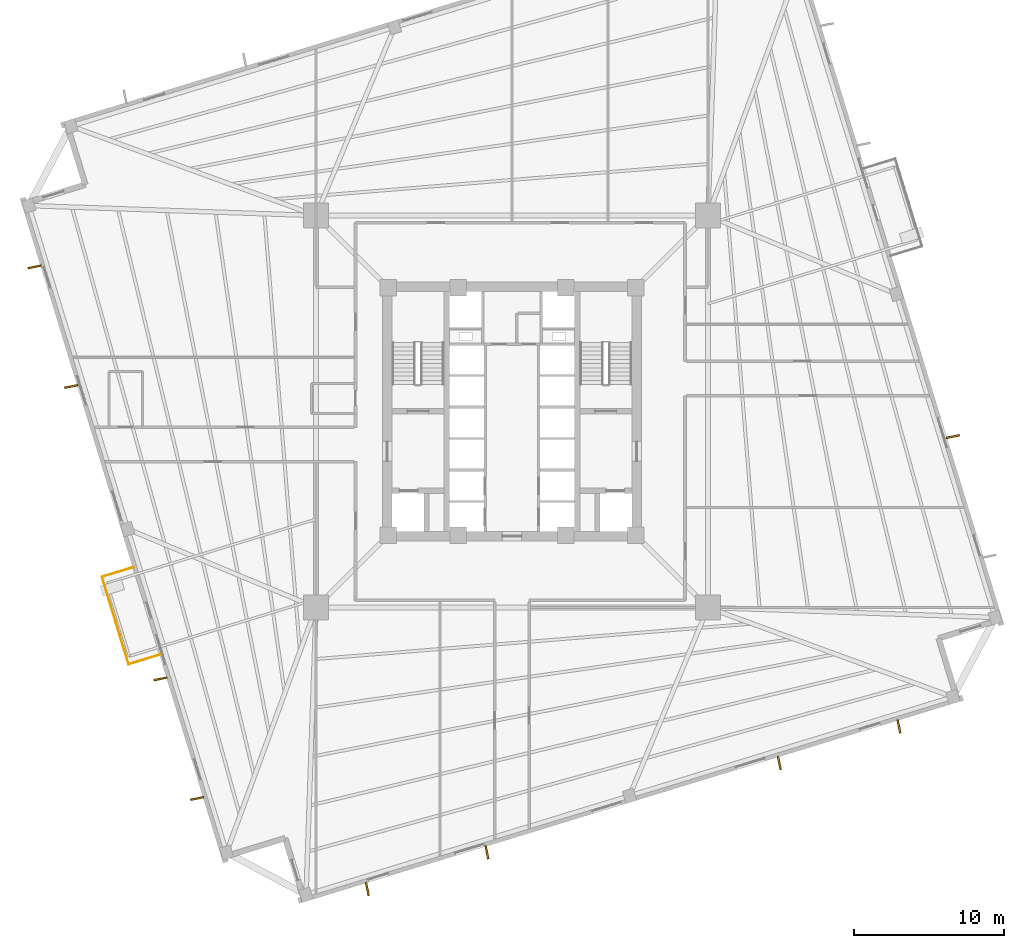
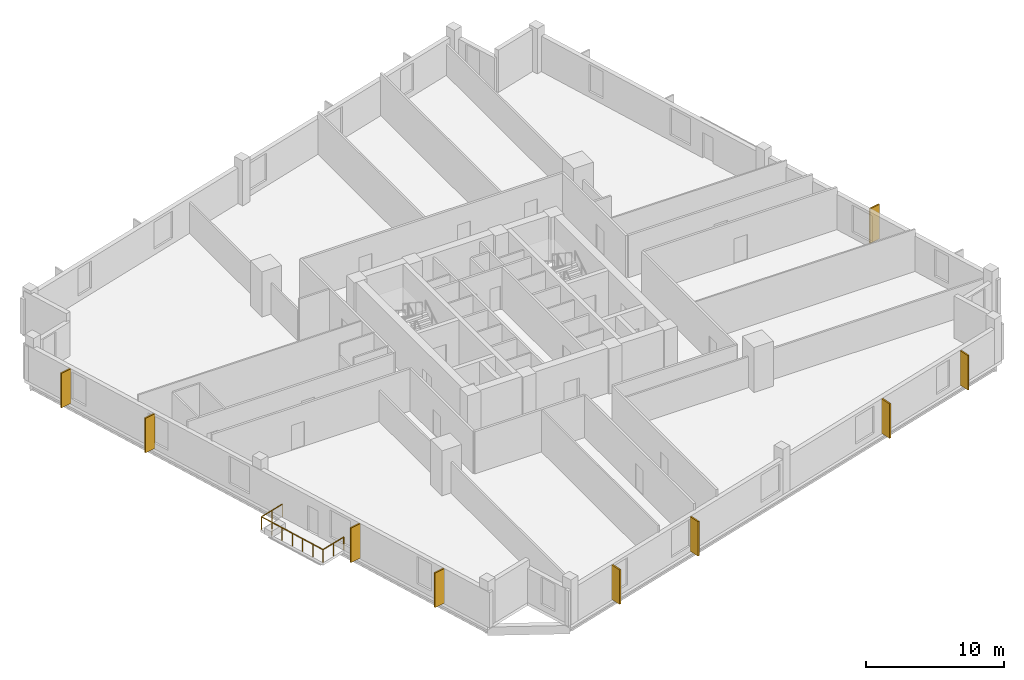
# One storey, part 7 of 9: 9 coverings, 3 railings.
"""IFC4 building model written with IfcOpenShell, lengths in metres."""

from ifc_helpers import new_model, si_unit, direction, frame, origin, origin_2d, place, context, subcontext, project, spatial, rectangle, circle, extrude, source, transform, mapped, material, layer, layer_set, type_object, element, save


model = new_model("IFC4")

# Units and contexts
model_context = context("Model", 3, precision=1e-05, world=origin(), true_north=direction((0.0, 1.0)))
body_context = subcontext(model_context, "Body", "Model", "MODEL_VIEW")
ifc_project = project(units=[si_unit("LENGTHUNIT", "METRE"), si_unit("AREAUNIT", "SQUARE_METRE"), si_unit("VOLUMEUNIT", "CUBIC_METRE"), si_unit("PLANEANGLEUNIT", "RADIAN"), si_unit("MASSUNIT", "GRAM", prefix="KILO"), si_unit("THERMODYNAMICTEMPERATUREUNIT", "KELVIN")], contexts=[model_context])

# Site, building, storey
site_placement = place(None, origin())
site = spatial("IfcSite", under=ifc_project, at=site_placement, CompositionType="ELEMENT")
building_placement = place(site_placement, origin())
building = spatial("IfcBuilding", under=site, at=building_placement, Name="Kosmvard Interchange Tower", CompositionType="ELEMENT")
storey_placement = place(building_placement, frame((0.0, 0.0, 119.199951171875)))
storey = spatial("IfcBuildingStorey", under=building, at=storey_placement, Name="L28", CompositionType="ELEMENT", Elevation=119.199951171875)

# Coverings
ifc_material_1 = material(Name="Architectural anodised aluminium", Category="aluminium")
ifc_layer = layer(ifc_material_1, 0.1201171875, Name="Architectural anodised aluminium")
ifc_layer_set = layer_set([ifc_layer], Name="Architectural anodised aluminium")
covering_type = type_object("IfcCoveringType", Name="Rotating Vertical Sun-Breaker Fin 900x120 Aluminium", PredefinedType="CLADDING", material=ifc_layer_set)
shared_shape_1 = source(origin(), body_context, "Body", "SweptSolid", [
    extrude(rectangle(XDim=0.89990234375, YDim=0.1201171875, at=origin_2d()), origin(), (0.0, 0.0, 1.0), 3.06005859375),
])
for number, where, z_axis, x_axis, name in (
    (1, (-9.6572265625, -31.865966796875, 0.0400390625), (0.0, 0.0, 1.0), (0.197144044521, -0.980374533385, 0.0), "L28 Rotating Vertical Sun-Breaker Fin 01"),
    (2, (-1.673583984375, -29.425048828125, 0.0400390625), (0.0, 0.0, 1.0), (0.197144044521, -0.980374533385, 0.0), "L28 Rotating Vertical Sun-Breaker Fin 02"),
    (3, (17.841796875, -23.45849609375, 0.0400390625), (0.0, 0.0, 1.0), (0.197144044521, -0.980374533385, 0.0), "L28 Rotating Vertical Sun-Breaker Fin 03"),
    (4, (25.825439453125, -21.017822265625, 0.0400390625), (0.0, 0.0, 1.0), (0.197144044521, -0.980374533385, 0.0), "L28 Rotating Vertical Sun-Breaker Fin 04"),
    (5, (29.425048828125, -1.673583984375, 0.0400390625), (0.0, 0.0, 1.0), (0.980374533385, 0.197144044521, 0.0), "L28 Rotating Vertical Sun-Breaker Fin 06"),
    (6, (-31.865966796875, 9.6572265625, 0.0400390625), (0.0, 0.0, 1.0), (-0.980374533385, -0.197144044521, 0.0), "L28 Rotating Vertical Sun-Breaker Fin 13"),
    (7, (-29.425048828125, 1.673583984375, 0.0400390625), (0.0, 0.0, 1.0), (-0.980374533385, -0.197144044521, 0.0), "L28 Rotating Vertical Sun-Breaker Fin 14"),
    (8, (-23.45849609375, -17.841796875, 0.0400390625), (0.0, 0.0, 1.0), (-0.980374533385, -0.197144044521, 0.0), "L28 Rotating Vertical Sun-Breaker Fin 15"),
    (9, (-21.017822265625, -25.825439453125, 0.0400390625), (0.0, 0.0, 1.0), (-0.980374533385, -0.197144044521, 0.0), "L28 Rotating Vertical Sun-Breaker Fin 16"),
):
    element("IfcCovering", number, at=place(storey_placement, frame(where, z_axis=z_axis, x_axis=x_axis)), inside=storey, type_object=covering_type, Name=name, PredefinedType="CLADDING", context=body_context, shape_type="MappedRepresentation", body=[
        mapped(shared_shape_1, transform((0.0, 0.0, 0.0), scale=1.0)),
    ])

# Railings
ifc_material_2 = material(Name="Steel S355", Category="steel")
railing_type = type_object("IfcRailingType", Name="Observation & Balcony Glass-Infill Balustrade 1150", PredefinedType="BALUSTRADE", material=ifc_material_2)
shared_shape_2 = source(origin(), body_context, "Body", "SweptSolid", [
    extrude(circle(Radius=0.02392578125, at=origin_2d()), frame((0.0, 0.0, 1.1259765625), z_axis=(0.956329170869, 0.292291835236, 0.0), x_axis=(-0.292291835236, 0.956329170869, 0.0)), (0.0, 0.0, 1.0), 2.2001953125),
    extrude(circle(Radius=0.02099609375, at=origin_2d()), origin(), (0.0, 0.0, 1.0), 1.101806640625),
    extrude(circle(Radius=0.02099609375, at=origin_2d()), frame((1.052001953125, 0.321533203125, 0.0)), (0.0, 0.0, 1.0), 1.101806640625),
    extrude(circle(Radius=0.02099609375, at=origin_2d()), frame((2.10400390625, 0.64306640625, 0.0)), (0.0, 0.0, 1.0), 1.101806640625),
])
railing_1_placement = place(storey_placement, frame((-25.58642578125, -16.86767578125, 0.0)))
element("IfcRailing", 10, at=railing_1_placement, inside=storey, type_object=railing_type, Name="L28 Outdoor Terrace Guard BAL-L28-W-C", PredefinedType="BALUSTRADE", context=body_context, shape_type="MappedRepresentation", body=[
    mapped(shared_shape_2, transform((0.0, 0.0, 0.0), scale=1.0)),
])
shared_shape_3 = source(origin(), body_context, "Body", "SweptSolid", [
    extrude(circle(Radius=0.02392578125, at=origin_2d()), frame((0.0, 0.0, 1.1259765625), z_axis=(-0.956329170869, -0.292291835236, 0.0), x_axis=(0.292291835236, -0.956329170869, 0.0)), (0.0, 0.0, 1.0), 2.2001953125),
    extrude(circle(Radius=0.02099609375, at=origin_2d()), origin(), (0.0, 0.0, 1.0), 1.101806640625),
    extrude(circle(Radius=0.02099609375, at=origin_2d()), frame((-1.052001953125, -0.321533203125, 0.0)), (0.0, 0.0, 1.0), 1.101806640625),
    extrude(circle(Radius=0.02099609375, at=origin_2d()), frame((-2.10400390625, -0.64306640625, 0.0)), (0.0, 0.0, 1.0), 1.101806640625),
])
railing_2_placement = place(storey_placement, frame((-25.265869140625, -10.39111328125, 0.0)))
element("IfcRailing", 11, at=railing_2_placement, inside=storey, type_object=railing_type, Name="L28 Outdoor Terrace Guard BAL-L28-W-A", PredefinedType="BALUSTRADE", context=body_context, shape_type="MappedRepresentation", body=[
    mapped(shared_shape_3, transform((0.0, 0.0, 0.0), scale=1.0)),
])
shared_shape_4 = source(origin(), body_context, "Body", "SweptSolid", [
    extrude(circle(Radius=0.02392578125, at=origin_2d()), frame((0.0, 0.0, 1.1259765625), z_axis=(0.292366986664, -0.956306198406, 0.0), x_axis=(0.956306198406, 0.292366986664, 0.0)), (0.0, 0.0, 1.0), 6.10009765625),
    extrude(circle(Radius=0.02099609375, at=origin_2d()), origin(), (0.0, 0.0, 1.0), 1.101806640625),
    extrude(circle(Radius=0.02099609375, at=origin_2d()), frame((0.29736328125, -0.97216796875, 0.0)), (0.0, 0.0, 1.0), 1.101806640625),
    extrude(circle(Radius=0.02099609375, at=origin_2d()), frame((0.594482421875, -1.944580078125, 0.0)), (0.0, 0.0, 1.0), 1.101806640625),
    extrude(circle(Radius=0.02099609375, at=origin_2d()), frame((0.8916015625, -2.916748046875, 0.0)), (0.0, 0.0, 1.0), 1.101806640625),
    extrude(circle(Radius=0.02099609375, at=origin_2d()), frame((1.18896484375, -3.888916015625, 0.0)), (0.0, 0.0, 1.0), 1.101806640625),
    extrude(circle(Radius=0.02099609375, at=origin_2d()), frame((1.486328125, -4.861328125, 0.0)), (0.0, 0.0, 1.0), 1.101806640625),
    extrude(circle(Radius=0.02099609375, at=origin_2d()), frame((1.783447265625, -5.83349609375, 0.0)), (0.0, 0.0, 1.0), 1.101806640625),
])
railing_3_placement = place(storey_placement, frame((-27.369873046875, -11.0341796875, 0.0)))
element("IfcRailing", 12, at=railing_3_placement, inside=storey, type_object=railing_type, Name="L28 Outdoor Terrace Guard BAL-L28-W-B", PredefinedType="BALUSTRADE", context=body_context, shape_type="MappedRepresentation", body=[
    mapped(shared_shape_4, transform((0.0, 0.0, 0.0), scale=1.0)),
])

save(model, "model.ifc")
